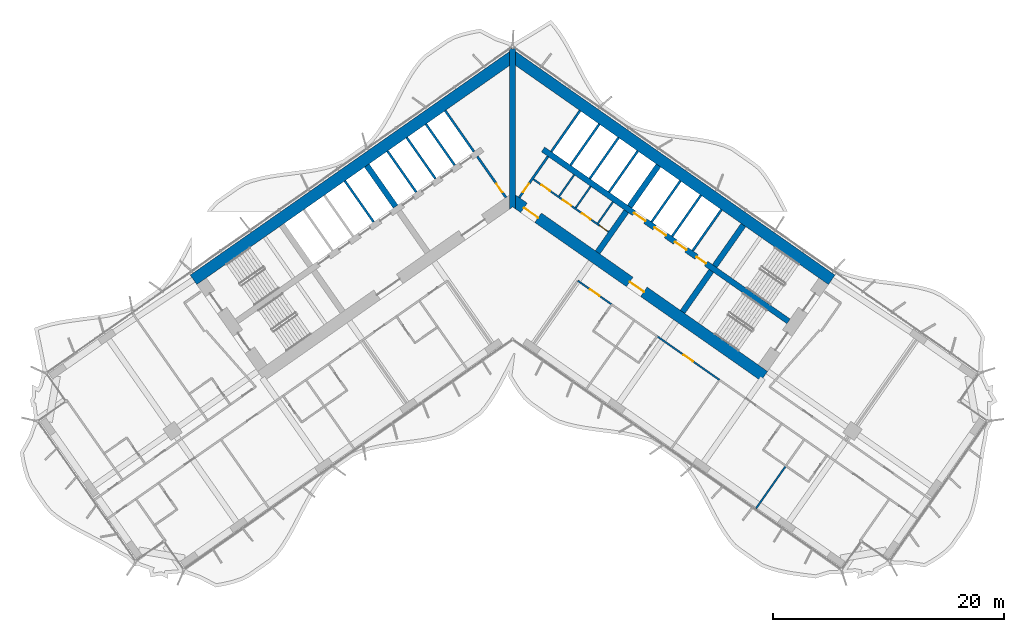
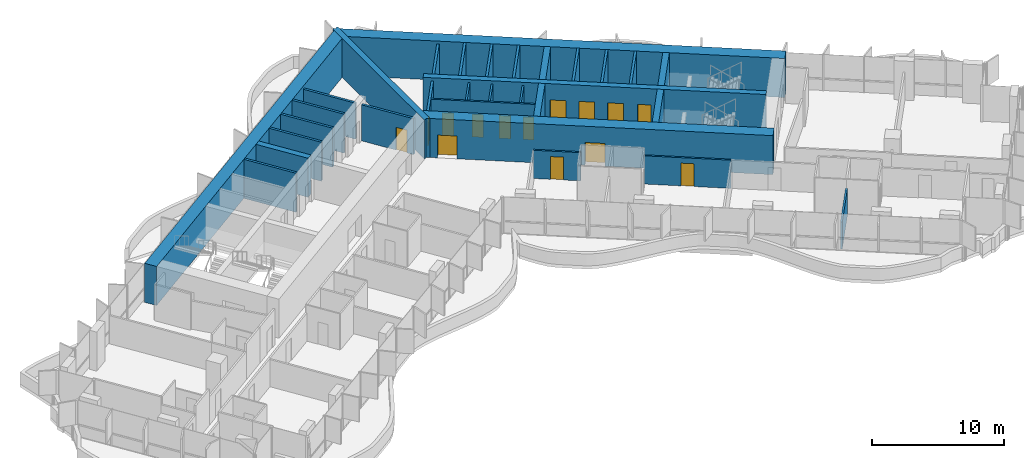
# One storey, part 14 of 22: 31 walls, 14 doors, 14 openings.
"""IFC4 building model written with IfcOpenShell, lengths in metres."""

from ifc_helpers import new_model, si_unit, direction, frame, frame_2d, origin, place, context, subcontext, project, spatial, polyline, rectangle, outline, extrude, material, layer, layer_set, type_object, element, fill, save


model = new_model("IFC4")

# Units and contexts
model_context = context("Model", 3, precision=1e-05, world=origin(), true_north=direction((0.0, 1.0)))
body_context = subcontext(model_context, "Body", "Model", "MODEL_VIEW")
ifc_project = project(units=[si_unit("LENGTHUNIT", "METRE"), si_unit("AREAUNIT", "SQUARE_METRE"), si_unit("VOLUMEUNIT", "CUBIC_METRE"), si_unit("PLANEANGLEUNIT", "RADIAN"), si_unit("MASSUNIT", "GRAM", prefix="KILO")], contexts=[model_context])

# Site, building, storey
site_placement = place(None, origin())
site = spatial("IfcSite", under=ifc_project, at=site_placement, CompositionType="ELEMENT")
building_placement = place(site_placement, origin())
building = spatial("IfcBuilding", under=site, at=building_placement, Name="Tel Ilan Convention Tower", CompositionType="ELEMENT")
storey_placement = place(building_placement, frame((0.0, 0.0, 122.89990234375)))
storey = spatial("IfcBuildingStorey", under=building, at=storey_placement, Name="L27", CompositionType="ELEMENT", Elevation=122.89990234375)

# Wall, openings, doors
ifc_material_1 = material(Name="Gypsum Plasterboard on Steel Stud", Category="steel")
ifc_layer_1 = layer(ifc_material_1, 0.14990234375)
ifc_layer_set_1 = layer_set([ifc_layer_1], Name="Core Room Partition Wall 150 mm EI 60")
wall_type_1 = type_object("IfcWallType", Name="Core Room Partition Wall 150 mm EI 60", PredefinedType="PARTITIONING", material=ifc_layer_set_1)
wall_1_placement = place(storey_placement, frame((1.802490234375, 1.179443359375, 0.0), z_axis=(0.0, 0.0, 1.0), x_axis=(0.819142461705, -0.573590121456, 0.0)))
wall_1 = element("IfcWall", 1, at=wall_1_placement, inside=storey, type_object=wall_type_1, Name="L27 core wall wc-h1", PredefinedType="PARTITIONING", context=body_context, shape_type="SweptSolid", body=[
    extrude(rectangle(XDim=7.949951171875, YDim=0.14990234375, at=frame_2d((3.97509765625, 0.0))), origin(), (0.0, 0.0, 1.0), 3.320068359375),
])
opening_1_placement = place(wall_1_placement, frame((0.85009765625, 0.0, 0.0)))
opening_1 = element("IfcOpeningElement", 2, at=opening_1_placement, cuts=wall_1, Name="Opening CD2111", PredefinedType="OPENING", context=body_context, shape_type="SweptSolid", body=[
    extrude(rectangle(XDim=0.89990234375, YDim=2.10009765625, at=frame_2d((0.449951171875, 1.050048828125))), frame((0.0, 0.0849609375, 0.0), z_axis=(0.0, -1.0, 0.0), x_axis=(1.0, 0.0, 0.0)), (0.0, 0.0, 1.0), 0.169921875),
])
opening_2_placement = place(wall_1_placement, frame((3.10009765625, 0.0, 0.0)))
opening_2 = element("IfcOpeningElement", 3, at=opening_2_placement, cuts=wall_1, Name="Opening CD2108", PredefinedType="OPENING", context=body_context, shape_type="SweptSolid", body=[
    extrude(rectangle(XDim=0.89990234375, YDim=2.10009765625, at=frame_2d((0.449951171875, 1.050048828125))), frame((0.0, 0.0849609375, 0.0), z_axis=(0.0, -1.0, 0.0), x_axis=(1.0, 0.0, 0.0)), (0.0, 0.0, 1.0), 0.169921875),
])
opening_3_placement = place(wall_1_placement, frame((5.14990234375, 0.0, 0.0)))
opening_3 = element("IfcOpeningElement", 4, at=opening_3_placement, cuts=wall_1, Name="Opening CD2110", PredefinedType="OPENING", context=body_context, shape_type="SweptSolid", body=[
    extrude(rectangle(XDim=0.89990234375, YDim=2.10009765625, at=frame_2d((0.449951171875, 1.050048828125))), frame((0.0, 0.0849609375, 0.0), z_axis=(0.0, -1.0, 0.0), x_axis=(1.0, 0.0, 0.0)), (0.0, 0.0, 1.0), 0.169921875),
])
opening_4_placement = place(wall_1_placement, frame((7.0, 0.0, 0.0)))
opening_4 = element("IfcOpeningElement", 5, at=opening_4_placement, cuts=wall_1, Name="Opening CD2109", PredefinedType="OPENING", context=body_context, shape_type="SweptSolid", body=[
    extrude(rectangle(XDim=0.800048828125, YDim=2.10009765625, at=frame_2d((0.39990234375, 1.050048828125))), frame((0.0, 0.0849609375, 0.0), z_axis=(0.0, -1.0, 0.0), x_axis=(1.0, 0.0, 0.0)), (0.0, 0.0, 1.0), 0.169921875),
])
ifc_material_2 = material(Name="Galvanised Steel Door Leaf", Category="steel")
door_type_1 = type_object("IfcDoorType", Name="Store Door 800 x 2100 FD60", OperationType="NOTDEFINED", PredefinedType="DOOR", material=ifc_material_2)
door_1_placement = place(opening_4_placement, origin())
door_1 = element("IfcDoor", 6, at=door_1_placement, inside=storey, type_object=door_type_1, Name="Cleaner's store door", OperationType="SINGLE_SWING_RIGHT", OverallHeight=2.10009765625, OverallWidth=0.800048828125, PredefinedType="DOOR", context=body_context, shape_type="SweptSolid", body=[
    extrude(rectangle(XDim=0.800048828125, YDim=2.10009765625, at=frame_2d((0.39990234375, 1.050048828125))), frame((0.0, 0.02490234375, 0.0), z_axis=(0.0, -1.0, 0.0), x_axis=(1.0, 0.0, 0.0)), (0.0, 0.0, 1.0), 0.050048828125),
])
fill(opening_4, door_1)
ifc_material_3 = material(Name="Laminated Timber Door Leaf", Category="wood")
door_type_2 = type_object("IfcDoorType", Name="Toilet Door 900 x 2100 FD30S", OperationType="NOTDEFINED", PredefinedType="DOOR", material=ifc_material_3)
door_2_placement = place(opening_1_placement, origin())
door_2 = element("IfcDoor", 7, at=door_2_placement, inside=storey, type_object=door_type_2, Name="Women's WC door", OperationType="SINGLE_SWING_RIGHT", OverallHeight=2.10009765625, OverallWidth=0.89990234375, PredefinedType="DOOR", context=body_context, shape_type="SweptSolid", body=[
    extrude(rectangle(XDim=0.89990234375, YDim=2.10009765625, at=frame_2d((0.449951171875, 1.050048828125))), frame((0.0, 0.02490234375, 0.0), z_axis=(0.0, -1.0, 0.0), x_axis=(1.0, 0.0, 0.0)), (0.0, 0.0, 1.0), 0.050048828125),
])
fill(opening_1, door_2)
door_3_placement = place(opening_2_placement, origin())
door_3 = element("IfcDoor", 8, at=door_3_placement, inside=storey, type_object=door_type_2, Name="Accessible WC door", OperationType="SINGLE_SWING_RIGHT", OverallHeight=2.10009765625, OverallWidth=0.89990234375, PredefinedType="DOOR", context=body_context, shape_type="SweptSolid", body=[
    extrude(rectangle(XDim=0.89990234375, YDim=2.10009765625, at=frame_2d((0.449951171875, 1.050048828125))), frame((0.0, 0.02490234375, 0.0), z_axis=(0.0, -1.0, 0.0), x_axis=(1.0, 0.0, 0.0)), (0.0, 0.0, 1.0), 0.050048828125),
])
fill(opening_2, door_3)
door_4_placement = place(opening_3_placement, origin())
door_4 = element("IfcDoor", 9, at=door_4_placement, inside=storey, type_object=door_type_2, Name="Men's WC door", OperationType="SINGLE_SWING_RIGHT", OverallHeight=2.10009765625, OverallWidth=0.89990234375, PredefinedType="DOOR", context=body_context, shape_type="SweptSolid", body=[
    extrude(rectangle(XDim=0.89990234375, YDim=2.10009765625, at=frame_2d((0.449951171875, 1.050048828125))), frame((0.0, 0.02490234375, 0.0), z_axis=(0.0, -1.0, 0.0), x_axis=(1.0, 0.0, 0.0)), (0.0, 0.0, 1.0), 0.050048828125),
])
fill(opening_3, door_4)

# Walls
for number, where, z_axis, x_axis, name in (
    (10, (4.03662109375, -0.29345703125, 0.0), (0.0, 0.0, 1.0), (0.573599181114, 0.819136117764, 0.0), "L27 core wall wc-v0"),
    (11, (5.47021484375, -1.297119140625, 0.0), (0.0, 0.0, 1.0), (0.573599181114, 0.819136117764, 0.0), "L27 core wall wc-v1"),
    (12, (7.395263671875, -2.64501953125, 0.0), (0.0, 0.0, 1.0), (0.573599181114, 0.819136117764, 0.0), "L27 core wall wc-v2"),
):
    element("IfcWall", number, at=place(storey_placement, frame(where, z_axis=z_axis, x_axis=x_axis)), inside=storey, type_object=wall_type_1, Name=name, PredefinedType="PARTITIONING", context=body_context, shape_type="SweptSolid", body=[
        extrude(rectangle(XDim=2.27490234375, YDim=0.14990234375, at=frame_2d((1.137451171875, 0.0))), origin(), (0.0, 0.0, 1.0), 3.320068359375),
    ])

# Wall, opening, door
ifc_material_4 = material(Name="Concrete C30/37", Category="concrete")
ifc_layer_2 = layer(ifc_material_4, 0.199951171875)
ifc_layer_set_2 = layer_set([ifc_layer_2], Name="Core Service Room Wall 200 mm C30/37")
wall_type_2 = type_object("IfcWallType", Name="Core Service Room Wall 200 mm C30/37", PredefinedType="SOLIDWALL", material=ifc_layer_set_2)
wall_2_placement = place(storey_placement, frame((-0.573486328125, -0.401611328125, 0.0), z_axis=(0.0, 0.0, 1.0), x_axis=(-0.57356780395, 0.819158088694, 0.0)))
wall_2 = element("IfcWall", 13, at=wall_2_placement, inside=storey, type_object=wall_type_2, Name="L27 core wall apex-W", PredefinedType="SOLIDWALL", context=body_context, shape_type="SweptSolid", body=[
    extrude(rectangle(XDim=4.35009765625, YDim=0.199951171875, at=frame_2d((2.175048828125, 0.0))), origin(), (0.0, 0.0, 1.0), 3.320068359375),
])
opening_5_placement = place(wall_2_placement, frame((0.550048828125, 0.0, 0.0)))
opening_5 = element("IfcOpeningElement", 14, at=opening_5_placement, cuts=wall_2, Name="Opening CD2102", PredefinedType="OPENING", context=body_context, shape_type="SweptSolid", body=[
    extrude(rectangle(XDim=0.89990234375, YDim=2.10009765625, at=frame_2d((0.449951171875, 1.050048828125))), frame((0.0, 0.10986328125, 0.0), z_axis=(0.0, -1.0, 0.0), x_axis=(1.0, 0.0, 0.0)), (0.0, 0.0, 1.0), 0.219970703125),
])
ifc_material_5 = material(Name="Galvanised Steel Door Leaf", Category="steel")
door_type_3 = type_object("IfcDoorType", Name="Service Room Door 900 x 2100 FD60", OperationType="NOTDEFINED", PredefinedType="DOOR", material=ifc_material_5)
door_5_placement = place(opening_5_placement, origin())
door_5 = element("IfcDoor", 15, at=door_5_placement, inside=storey, type_object=door_type_3, Name="Telecom Room door", OperationType="SINGLE_SWING_RIGHT", OverallHeight=2.10009765625, OverallWidth=0.89990234375, PredefinedType="DOOR", context=body_context, shape_type="SweptSolid", body=[
    extrude(rectangle(XDim=0.89990234375, YDim=2.10009765625, at=frame_2d((0.449951171875, 1.050048828125))), frame((0.0, 0.02490234375, 0.0), z_axis=(0.0, -1.0, 0.0), x_axis=(1.0, 0.0, 0.0)), (0.0, 0.0, 1.0), 0.050048828125),
])
fill(opening_5, door_5)

# Wall
wall_3_placement = place(storey_placement, frame((-3.355224609375, 3.5712890625, 0.0), z_axis=(0.0, 0.0, 1.0), x_axis=(-0.57356780395, 0.819158088694, 0.0)))
element("IfcWall", 16, at=wall_3_placement, inside=storey, type_object=wall_type_2, Name="L27 core wall apex-W-b", PredefinedType="SOLIDWALL", context=body_context, shape_type="SweptSolid", body=[
    extrude(rectangle(XDim=4.35009765625, YDim=0.199951171875, at=frame_2d((2.175048828125, 0.0))), origin(), (0.0, 0.0, 1.0), 3.320068359375),
])

# Wall, opening, door
wall_4_placement = place(storey_placement, frame((0.573486328125, -0.401611328125, 0.0), z_axis=(0.0, 0.0, 1.0), x_axis=(0.57356780395, 0.819158088694, 0.0)))
wall_4 = element("IfcWall", 17, at=wall_4_placement, inside=storey, type_object=wall_type_2, Name="L27 core wall apex-E", PredefinedType="SOLIDWALL", context=body_context, shape_type="SweptSolid", body=[
    extrude(rectangle(XDim=4.35009765625, YDim=0.199951171875, at=frame_2d((2.175048828125, 0.0))), origin(), (0.0, 0.0, 1.0), 3.320068359375),
])
opening_6_placement = place(wall_4_placement, frame((0.550048828125, 0.0, 0.0)))
opening_6 = element("IfcOpeningElement", 18, at=opening_6_placement, cuts=wall_4, Name="Opening CD2101", PredefinedType="OPENING", context=body_context, shape_type="SweptSolid", body=[
    extrude(rectangle(XDim=0.89990234375, YDim=2.10009765625, at=frame_2d((0.449951171875, 1.050048828125))), frame((0.0, 0.10986328125, 0.0), z_axis=(0.0, -1.0, 0.0), x_axis=(1.0, 0.0, 0.0)), (0.0, 0.0, 1.0), 0.219970703125),
])
door_6_placement = place(opening_6_placement, origin())
door_6 = element("IfcDoor", 19, at=door_6_placement, inside=storey, type_object=door_type_3, Name="Data Room door", OperationType="SINGLE_SWING_RIGHT", OverallHeight=2.10009765625, OverallWidth=0.89990234375, PredefinedType="DOOR", context=body_context, shape_type="SweptSolid", body=[
    extrude(rectangle(XDim=0.89990234375, YDim=2.10009765625, at=frame_2d((0.449951171875, 1.050048828125))), frame((0.0, 0.02490234375, 0.0), z_axis=(0.0, -1.0, 0.0), x_axis=(1.0, 0.0, 0.0)), (0.0, 0.0, 1.0), 0.050048828125),
])
fill(opening_6, door_6)

# Walls
wall_5_placement = place(storey_placement, frame((3.355224609375, 3.5712890625, 0.0), z_axis=(0.0, 0.0, 1.0), x_axis=(0.57356780395, 0.819158088694, 0.0)))
element("IfcWall", 20, at=wall_5_placement, inside=storey, type_object=wall_type_2, Name="L27 core wall apex-E-b", PredefinedType="SOLIDWALL", context=body_context, shape_type="SweptSolid", body=[
    extrude(rectangle(XDim=4.35009765625, YDim=0.199951171875, at=frame_2d((2.175048828125, 0.0))), origin(), (0.0, 0.0, 1.0), 3.320068359375),
])
ifc_material_6 = material(Name="Concrete C60/75", Category="concrete")
ifc_layer_3 = layer(ifc_material_6, 1.0)
ifc_layer_set_3 = layer_set([ifc_layer_3], Name="Core Shear Wall 1000 mm C60/75")
wall_type_3 = type_object("IfcWallType", Name="Core Shear Wall 1000 mm C60/75", PredefinedType="SHEAR", material=ifc_layer_set_3)
wall_6_placement = place(storey_placement, frame((0.036865234375, 11.8671875, 0.0), z_axis=(0.0, 0.0, 1.0), x_axis=(-0.819155306259, -0.573571777746, 0.0)))
element("IfcWall", 21, at=wall_6_placement, inside=storey, type_object=wall_type_3, Name="L27 core wall W-back", PredefinedType="SHEAR", context=body_context, shape_type="SweptSolid", body=[
    extrude(outline(polyline([(33.8369140625, 0.5), (0.7001953125, 0.499755859375), (0.0, -0.5), (33.8369140625, -0.5), (33.8369140625, 0.5)])), origin(), (0.0, 0.0, 1.0), 3.60009765625),
])
wall_7_placement = place(storey_placement, frame((-0.036865234375, 11.8671875, 0.0), z_axis=(0.0, 0.0, 1.0), x_axis=(0.819155306259, -0.573571777746, 0.0)))
element("IfcWall", 22, at=wall_7_placement, inside=storey, type_object=wall_type_3, Name="L27 core wall E-back", PredefinedType="SHEAR", context=body_context, shape_type="SweptSolid", body=[
    extrude(outline(polyline([(33.8369140625, 0.5), (0.0, 0.5), (0.7001953125, -0.499755859375), (33.8369140625, -0.5), (33.8369140625, 0.5)])), origin(), (0.0, 0.0, 1.0), 3.60009765625),
])

# Wall, openings, doors
wall_8_placement = place(storey_placement, frame((-0.036865234375, -0.584716796875, 0.0), z_axis=(0.0, 0.0, 1.0), x_axis=(0.819157152511, -0.573569140985, 0.0)))
wall_8 = element("IfcWall", 23, at=wall_8_placement, inside=storey, type_object=wall_type_3, Name="L27 core wall E-front", PredefinedType="SHEAR", context=body_context, shape_type="SweptSolid", body=[
    extrude(outline(polyline([(26.69482421875, 0.499755859375), (0.0, 0.5), (0.7001953125, -0.499755859375), (26.69482421875, -0.500244140625), (26.69482421875, 0.499755859375)])), origin(), (0.0, 0.0, 1.0), 3.60009765625),
])
opening_7_placement = place(wall_8_placement, frame((1.244873046875, 0.0, 0.0)))
opening_7 = element("IfcOpeningElement", 24, at=opening_7_placement, cuts=wall_8, Name="Opening CD2103", PredefinedType="OPENING", context=body_context, shape_type="SweptSolid", body=[
    extrude(rectangle(XDim=1.5, YDim=2.10009765625, at=frame_2d((0.75, 1.050048828125))), frame((0.0, 0.510009765625, 0.0), z_axis=(0.0, -1.0, 0.0), x_axis=(1.0, 0.0, 0.0)), (0.0, 0.0, 1.0), 1.02001953125),
])
opening_8_placement = place(wall_8_placement, frame((12.44482421875, 0.0, 0.0)))
opening_8 = element("IfcOpeningElement", 25, at=opening_8_placement, cuts=wall_8, Name="Opening CD2104", PredefinedType="OPENING", context=body_context, shape_type="SweptSolid", body=[
    extrude(rectangle(XDim=1.5, YDim=2.10009765625, at=frame_2d((0.75, 1.050048828125))), frame((0.0, 0.510009765625, 0.0), z_axis=(0.0, -1.0, 0.0), x_axis=(1.0, 0.0, 0.0)), (0.0, 0.0, 1.0), 1.02001953125),
])
ifc_material_7 = material(Name="Glazed Aluminium Door Leaf", Category="aluminium")
door_type_4 = type_object("IfcDoorType", Name="Lobby Opening Door 1500 x 2100 FD60S", OperationType="NOTDEFINED", PredefinedType="DOOR", material=ifc_material_7)
door_7_placement = place(opening_8_placement, origin())
door_7 = element("IfcDoor", 26, at=door_7_placement, inside=storey, type_object=door_type_4, Name="Firefighting Lobby door", OperationType="DOUBLE_DOOR_SINGLE_SWING", OverallHeight=2.10009765625, OverallWidth=1.5, PredefinedType="DOOR", context=body_context, shape_type="SweptSolid", body=[
    extrude(rectangle(XDim=1.5, YDim=2.10009765625, at=frame_2d((0.75, 1.050048828125))), frame((0.0, 0.02490234375, 0.0), z_axis=(0.0, -1.0, 0.0), x_axis=(1.0, 0.0, 0.0)), (0.0, 0.0, 1.0), 0.050048828125),
])
fill(opening_8, door_7)
ifc_material_8 = material(Name="Laminated Timber Door Leaf", Category="wood")
door_type_5 = type_object("IfcDoorType", Name="Toilet Door 1500 x 2100 FD30S", OperationType="NOTDEFINED", PredefinedType="DOOR", material=ifc_material_8)
door_8_placement = place(opening_7_placement, origin())
door_8 = element("IfcDoor", 27, at=door_8_placement, inside=storey, type_object=door_type_5, Name="WC Lobby door", OperationType="SINGLE_SWING_RIGHT", OverallHeight=2.10009765625, OverallWidth=1.5, PredefinedType="DOOR", context=body_context, shape_type="SweptSolid", body=[
    extrude(rectangle(XDim=1.5, YDim=2.10009765625, at=frame_2d((0.75, 1.050048828125))), frame((0.0, 0.02490234375, 0.0), z_axis=(0.0, -1.0, 0.0), x_axis=(1.0, 0.0, 0.0)), (0.0, 0.0, 1.0), 0.050048828125),
])
fill(opening_7, door_8)

# Walls
ifc_material_9 = material(Name="Concrete C60/75", Category="concrete")
ifc_layer_4 = layer(ifc_material_9, 0.5)
ifc_layer_set_4 = layer_set([ifc_layer_4], Name="Core Shear Wall 500 mm C60/75")
wall_type_4 = type_object("IfcWallType", Name="Core Shear Wall 500 mm C60/75", PredefinedType="SHEAR", material=ifc_layer_set_4)
wall_9_placement = place(storey_placement, frame((-10.154296875, -1.189208984375, 0.0), z_axis=(0.0, 0.0, 1.0), x_axis=(-0.573594173421, 0.819139624372, 0.0)))
element("IfcWall", 28, at=wall_9_placement, inside=storey, type_object=wall_type_4, Name="L27 core wall W-cross1-2", PredefinedType="SHEAR", context=body_context, shape_type="SweptSolid", body=[
    extrude(outline(polyline([(4.349853515625, -0.25), (4.349853515625, 0.25), (-0.000244140625, 0.25), (-0.000244140625, -0.25), (4.349853515625, -0.25)])), origin(), (0.0, 0.0, 1.0), 3.60009765625),
])
wall_10_placement = place(storey_placement, frame((7.372314453125, -5.162109375, 0.0), z_axis=(0.0, 0.0, 1.0), x_axis=(0.573594173421, 0.819139624372, 0.0)))
element("IfcWall", 29, at=wall_10_placement, inside=storey, type_object=wall_type_4, Name="L27 core wall E-cross1-1", PredefinedType="SHEAR", context=body_context, shape_type="SweptSolid", body=[
    extrude(outline(polyline([(0.0, 0.25), (0.0, -0.250244140625), (4.349853515625, -0.25), (4.349853515625, 0.25), (0.0, 0.25)])), origin(), (0.0, 0.0, 1.0), 3.60009765625),
])
wall_11_placement = place(storey_placement, frame((10.154296875, -1.189208984375, 0.0), z_axis=(0.0, 0.0, 1.0), x_axis=(0.573594173421, 0.819139624372, 0.0)))
element("IfcWall", 30, at=wall_11_placement, inside=storey, type_object=wall_type_4, Name="L27 core wall E-cross1-2", PredefinedType="SHEAR", context=body_context, shape_type="SweptSolid", body=[
    extrude(outline(polyline([(4.349853515625, -0.25), (4.349853515625, 0.25), (-0.000244140625, 0.25), (-0.000244140625, -0.25), (4.349853515625, -0.25)])), origin(), (0.0, 0.0, 1.0), 3.60009765625),
])
wall_12_placement = place(storey_placement, frame((14.74462890625, -10.324462890625, 0.0), z_axis=(0.0, 0.0, 1.0), x_axis=(0.57356780395, 0.819158088694, 0.0)))
element("IfcWall", 31, at=wall_12_placement, inside=storey, type_object=wall_type_4, Name="L27 core wall E-cross2-1", PredefinedType="SHEAR", context=body_context, shape_type="SweptSolid", body=[
    extrude(outline(polyline([(0.0, 0.25), (0.0, -0.25), (4.35009765625, -0.250244140625), (4.35009765625, 0.25), (0.0, 0.25)])), origin(), (0.0, 0.0, 1.0), 3.60009765625),
])
wall_13_placement = place(storey_placement, frame((17.526611328125, -6.3515625, 0.0), z_axis=(0.0, 0.0, 1.0), x_axis=(0.573530143085, 0.819184457233, 0.0)))
element("IfcWall", 32, at=wall_13_placement, inside=storey, type_object=wall_type_4, Name="L27 core wall E-cross2-2", PredefinedType="SHEAR", context=body_context, shape_type="SweptSolid", body=[
    extrude(outline(polyline([(4.35009765625, -0.250244140625), (4.35009765625, 0.249755859375), (0.0, 0.25), (0.0, -0.25), (4.35009765625, -0.250244140625)])), origin(), (0.0, 0.0, 1.0), 3.60009765625),
])

# Wall, openings, doors
wall_14_placement = place(storey_placement, frame((2.638427734375, 3.76806640625, 0.0), z_axis=(0.0, 0.0, 1.0), x_axis=(0.819148977158, -0.573580816643, 0.0)))
wall_14 = element("IfcWall", 33, at=wall_14_placement, inside=storey, type_object=wall_type_4, Name="L27 core wall E-spine", PredefinedType="SHEAR", context=body_context, shape_type="SweptSolid", body=[
    extrude(outline(polyline([(0.0, 0.25), (0.0, -0.25), (26.0, -0.249755859375), (26.0, 0.250244140625), (0.0, 0.25)])), origin(), (0.0, 0.0, 1.0), 3.60009765625),
])
opening_9_placement = place(wall_14_placement, frame((9.637451171875, 0.0, 0.0)))
opening_9 = element("IfcOpeningElement", 34, at=opening_9_placement, cuts=wall_14, Name="Opening LD2101", PredefinedType="OPENING", context=body_context, shape_type="SweptSolid", body=[
    extrude(rectangle(XDim=1.199951171875, YDim=2.10009765625, at=frame_2d((0.60009765625, 1.050048828125))), frame((0.0, 0.260009765625, 0.0), z_axis=(0.0, -1.0, 0.0), x_axis=(1.0, 0.0, 0.0)), (0.0, 0.0, 1.0), 0.52001953125),
])
opening_10_placement = place(wall_14_placement, frame((11.8125, 0.0, 0.0)))
opening_10 = element("IfcOpeningElement", 35, at=opening_10_placement, cuts=wall_14, Name="Opening LD2102", PredefinedType="OPENING", context=body_context, shape_type="SweptSolid", body=[
    extrude(rectangle(XDim=1.199951171875, YDim=2.10009765625, at=frame_2d((0.60009765625, 1.050048828125))), frame((0.0, 0.260009765625, 0.0), z_axis=(0.0, -1.0, 0.0), x_axis=(1.0, 0.0, 0.0)), (0.0, 0.0, 1.0), 0.52001953125),
])
opening_11_placement = place(wall_14_placement, frame((13.987548828125, 0.0, 0.0)))
opening_11 = element("IfcOpeningElement", 36, at=opening_11_placement, cuts=wall_14, Name="Opening LD2103", PredefinedType="OPENING", context=body_context, shape_type="SweptSolid", body=[
    extrude(rectangle(XDim=1.199951171875, YDim=2.10009765625, at=frame_2d((0.60009765625, 1.050048828125))), frame((0.0, 0.260009765625, 0.0), z_axis=(0.0, -1.0, 0.0), x_axis=(1.0, 0.0, 0.0)), (0.0, 0.0, 1.0), 0.52001953125),
])
opening_12_placement = place(wall_14_placement, frame((16.262451171875, 0.0, 0.0)))
opening_12 = element("IfcOpeningElement", 37, at=opening_12_placement, cuts=wall_14, Name="Opening CD2107", PredefinedType="OPENING", context=body_context, shape_type="SweptSolid", body=[
    extrude(rectangle(XDim=1.0, YDim=2.10009765625, at=frame_2d((0.5, 1.050048828125))), frame((0.0, 0.260009765625, 0.0), z_axis=(0.0, -1.0, 0.0), x_axis=(1.0, 0.0, 0.0)), (0.0, 0.0, 1.0), 0.52001953125),
])
ifc_material_10 = material(Name="Stainless Steel Sliding Door Leaf", Category="steel")
door_type_6 = type_object("IfcDoorType", Name="Lift Landing Door 1200 x 2100 FD120", OperationType="NOTDEFINED", PredefinedType="DOOR", material=ifc_material_10)
door_9_placement = place(opening_9_placement, origin())
door_9 = element("IfcDoor", 38, at=door_9_placement, inside=storey, type_object=door_type_6, Name="Lift FL1 landing door", OperationType="SLIDING_TO_LEFT", OverallHeight=2.10009765625, OverallWidth=1.199951171875, PredefinedType="DOOR", context=body_context, shape_type="SweptSolid", body=[
    extrude(rectangle(XDim=1.199951171875, YDim=2.10009765625, at=frame_2d((0.60009765625, 1.050048828125))), frame((0.0, 0.02490234375, 0.0), z_axis=(0.0, -1.0, 0.0), x_axis=(1.0, 0.0, 0.0)), (0.0, 0.0, 1.0), 0.050048828125),
])
fill(opening_9, door_9)
door_10_placement = place(opening_10_placement, origin())
door_10 = element("IfcDoor", 39, at=door_10_placement, inside=storey, type_object=door_type_6, Name="Lift FL2 landing door", OperationType="SLIDING_TO_RIGHT", OverallHeight=2.10009765625, OverallWidth=1.199951171875, PredefinedType="DOOR", context=body_context, shape_type="SweptSolid", body=[
    extrude(rectangle(XDim=1.199951171875, YDim=2.10009765625, at=frame_2d((0.60009765625, 1.050048828125))), frame((0.0, 0.02490234375, 0.0), z_axis=(0.0, -1.0, 0.0), x_axis=(1.0, 0.0, 0.0)), (0.0, 0.0, 1.0), 0.050048828125),
])
fill(opening_10, door_10)
door_11_placement = place(opening_11_placement, origin())
door_11 = element("IfcDoor", 40, at=door_11_placement, inside=storey, type_object=door_type_6, Name="Lift FL3 landing door", OperationType="SLIDING_TO_LEFT", OverallHeight=2.10009765625, OverallWidth=1.199951171875, PredefinedType="DOOR", context=body_context, shape_type="SweptSolid", body=[
    extrude(rectangle(XDim=1.199951171875, YDim=2.10009765625, at=frame_2d((0.60009765625, 1.050048828125))), frame((0.0, 0.02490234375, 0.0), z_axis=(0.0, -1.0, 0.0), x_axis=(1.0, 0.0, 0.0)), (0.0, 0.0, 1.0), 0.050048828125),
])
fill(opening_11, door_11)
ifc_material_11 = material(Name="Galvanised Steel Door Leaf", Category="steel")
door_type_7 = type_object("IfcDoorType", Name="Service Room Door 1000 x 2100 FD60", OperationType="NOTDEFINED", PredefinedType="DOOR", material=ifc_material_11)
door_12_placement = place(opening_12_placement, origin())
door_12 = element("IfcDoor", 41, at=door_12_placement, inside=storey, type_object=door_type_7, Name="Plant Room door", OperationType="SINGLE_SWING_RIGHT", OverallHeight=2.10009765625, OverallWidth=1.0, PredefinedType="DOOR", context=body_context, shape_type="SweptSolid", body=[
    extrude(rectangle(XDim=1.0, YDim=2.10009765625, at=frame_2d((0.5, 1.050048828125))), frame((0.0, 0.02490234375, 0.0), z_axis=(0.0, -1.0, 0.0), x_axis=(1.0, 0.0, 0.0)), (0.0, 0.0, 1.0), 0.050048828125),
])
fill(opening_12, door_12)

# Wall
wall_15_placement = place(storey_placement, frame((0.0, -1.395751953125, 0.0), z_axis=(0.0, 0.0, 1.0), x_axis=(0.0, 1.0, 0.0)))
element("IfcWall", 42, at=wall_15_placement, inside=storey, type_object=wall_type_4, Name="L27 core wall K-central", PredefinedType="SHEAR", context=body_context, shape_type="SweptSolid", body=[
    extrude(outline(polyline([(0.0, -0.25), (0.175048828125, -0.25), (1.220703125, -0.25), (12.451904296875, -0.25), (13.84765625, -0.25), (13.85693359375, -0.25), (13.96826171875, -0.172119140625), (13.84765625, 0.0), (13.96826171875, 0.172119140625), (13.85693359375, 0.25), (13.84765625, 0.25), (12.451904296875, 0.25), (1.220703125, 0.25), (0.175048828125, 0.25), (0.0, 0.25), (0.175048828125, 0.0), (0.0, -0.25)])), origin(), (0.0, 0.0, 1.0), 3.60009765625),
])

# Wall, opening, door
ifc_material_12 = material(Name="Plasterboard on Steel Studs", Category="steel")
ifc_layer_5 = layer(ifc_material_12, 0.14990234375)
ifc_layer_set_5 = layer_set([ifc_layer_5], Name="Fire-rated Partition 150 EI 60")
wall_type_5 = type_object("IfcWallType", Name="Fire-rated Partition 150 EI 60", PredefinedType="PARTITIONING", material=ifc_layer_set_5)
wall_16_placement = place(storey_placement, frame((8.601318359375, -9.68505859375, 0.0), z_axis=(0.0, 0.0, 1.0), x_axis=(-0.819149096931, 0.573580645591, 0.0)))
wall_16 = element("IfcWall", 43, at=wall_16_placement, inside=storey, type_object=wall_type_5, Name="Partition 003", PredefinedType="PARTITIONING", context=body_context, shape_type="SweptSolid", body=[
    extrude(rectangle(XDim=3.600830078125, YDim=0.14990234375, at=frame_2d((1.80029296875, 0.0))), origin(), (0.0, 0.0, 1.0), 2.60009765625),
])
opening_13_placement = place(wall_16_placement, frame((1.301025390625, 0.0, 0.0)))
opening_13 = element("IfcOpeningElement", 44, at=opening_13_placement, cuts=wall_16, Name="Opening L27-017", PredefinedType="OPENING", context=body_context, shape_type="SweptSolid", body=[
    extrude(rectangle(XDim=1.0, YDim=2.10009765625, at=frame_2d((0.5, 1.050048828125))), frame((0.0, 0.0849609375, 0.0), z_axis=(0.0, -1.0, 0.0), x_axis=(1.0, 0.0, 0.0)), (0.0, 0.0, 1.0), 0.169921875),
])
ifc_material_13 = material(Name="Timber Door Leaf in Steel Frame", Category="steel")
door_type_8 = type_object("IfcDoorType", Name="Hotel Room Entrance Fire Door 1000x2100", OperationType="NOTDEFINED", PredefinedType="DOOR", material=ifc_material_13)
door_13_placement = place(opening_13_placement, origin())
door_13 = element("IfcDoor", 45, at=door_13_placement, inside=storey, type_object=door_type_8, Name="Door L27-017", OperationType="SINGLE_SWING_LEFT", OverallHeight=2.10009765625, OverallWidth=1.0, PredefinedType="DOOR", context=body_context, shape_type="SweptSolid", body=[
    extrude(rectangle(XDim=1.0, YDim=2.10009765625, at=frame_2d((0.5, 1.050048828125))), frame((0.0, 0.02490234375, 0.0), z_axis=(0.0, -1.0, 0.0), x_axis=(1.0, 0.0, 0.0)), (0.0, 0.0, 1.0), 0.050048828125),
])
fill(opening_13, door_13)

wall_17_placement = place(storey_placement, frame((17.940673828125, -16.224365234375, 0.0), z_axis=(0.0, 0.0, 1.0), x_axis=(-0.819153746897, 0.573574004767, 0.0)))
wall_17 = element("IfcWall", 46, at=wall_17_placement, inside=storey, type_object=wall_type_5, Name="Partition 005", PredefinedType="PARTITIONING", context=body_context, shape_type="SweptSolid", body=[
    extrude(rectangle(XDim=6.60302734375, YDim=0.14990234375, at=frame_2d((3.301513671875, 0.0))), origin(), (0.0, 0.0, 1.0), 2.60009765625),
])
opening_14_placement = place(wall_17_placement, frame((2.802001953125, 0.0, 0.0)))
opening_14 = element("IfcOpeningElement", 47, at=opening_14_placement, cuts=wall_17, Name="Opening L27-019", PredefinedType="OPENING", context=body_context, shape_type="SweptSolid", body=[
    extrude(rectangle(XDim=1.0, YDim=2.10009765625, at=frame_2d((0.5, 1.050048828125))), frame((0.0, 0.0849609375, 0.0), z_axis=(0.0, -1.0, 0.0), x_axis=(1.0, 0.0, 0.0)), (0.0, 0.0, 1.0), 0.169921875),
])
door_14_placement = place(opening_14_placement, origin())
door_14 = element("IfcDoor", 48, at=door_14_placement, inside=storey, type_object=door_type_8, Name="Door L27-019", OperationType="SINGLE_SWING_RIGHT", OverallHeight=2.10009765625, OverallWidth=1.0, PredefinedType="DOOR", context=body_context, shape_type="SweptSolid", body=[
    extrude(rectangle(XDim=1.0, YDim=2.10009765625, at=frame_2d((0.5, 1.050048828125))), frame((0.0, 0.02490234375, 0.0), z_axis=(0.0, -1.0, 0.0), x_axis=(1.0, 0.0, 0.0)), (0.0, 0.0, 1.0), 0.050048828125),
])
fill(opening_14, door_14)

# Walls
wall_18_placement = place(storey_placement, frame((23.70458984375, -23.679931640625, 0.0), z_axis=(0.0, 0.0, 1.0), x_axis=(-0.573553393703, -0.819168178442, 0.0)))
element("IfcWall", 49, at=wall_18_placement, inside=storey, type_object=wall_type_5, Name="Partition 042", PredefinedType="PARTITIONING", context=body_context, shape_type="SweptSolid", body=[
    extrude(rectangle(XDim=4.498779296875, YDim=0.14990234375, at=frame_2d((2.24951171875, 0.0))), origin(), (0.0, 0.0, 1.0), 2.5),
])
ifc_material_14 = material(Name="Concrete C30/37", Category="concrete")
ifc_layer_6 = layer(ifc_material_14, 0.199951171875)
ifc_layer_set_6 = layer_set([ifc_layer_6], Name="Lift Shaft Wall 200 mm C30/37")
wall_type_6 = type_object("IfcWallType", Name="Lift Shaft Wall 200 mm C30/37", PredefinedType="SOLIDWALL", material=ifc_layer_set_6)
wall_19_placement = place(storey_placement, frame((-5.0244140625, 2.402587890625, 0.0), z_axis=(0.0, 0.0, 1.0), x_axis=(-0.573530143085, 0.819184457233, 0.0)))
element("IfcWall", 50, at=wall_19_placement, inside=storey, type_object=wall_type_6, Name="L27 core wall bank-W1-p0", PredefinedType="SOLIDWALL", context=body_context, shape_type="SweptSolid", body=[
    extrude(rectangle(XDim=4.35009765625, YDim=0.199951171875, at=frame_2d((2.175048828125, 0.0))), origin(), (0.0, 0.0, 1.0), 3.60009765625),
])
for number, where, z_axis, x_axis, name in (
    (51, (-6.693359375, 1.234130859375, 0.0), (0.0, 0.0, 1.0), (-0.573594173421, 0.819139624372, 0.0), "L27 core wall bank-W1-p1"),
    (52, (-8.3623046875, 0.0654296875, 0.0), (0.0, 0.0, 1.0), (-0.573594173421, 0.819139624372, 0.0), "L27 core wall bank-W1-p2"),
    (53, (-12.05859375, -2.52294921875, 0.0), (0.0, 0.0, 1.0), (-0.573594173421, 0.819139624372, 0.0), "L27 core wall bank-W2-p0"),
):
    element("IfcWall", number, at=place(storey_placement, frame(where, z_axis=z_axis, x_axis=x_axis)), inside=storey, type_object=wall_type_6, Name=name, PredefinedType="SOLIDWALL", context=body_context, shape_type="SweptSolid", body=[
        extrude(rectangle(XDim=4.349853515625, YDim=0.199951171875, at=frame_2d((2.1748046875, 0.0))), origin(), (0.0, 0.0, 1.0), 3.60009765625),
    ])
wall_20_placement = place(storey_placement, frame((5.0244140625, 2.402587890625, 0.0), z_axis=(0.0, 0.0, 1.0), x_axis=(0.573530143085, 0.819184457233, 0.0)))
element("IfcWall", 54, at=wall_20_placement, inside=storey, type_object=wall_type_6, Name="L27 core wall bank-E1-p0", PredefinedType="SOLIDWALL", context=body_context, shape_type="SweptSolid", body=[
    extrude(rectangle(XDim=4.35009765625, YDim=0.199951171875, at=frame_2d((2.175048828125, 0.0))), origin(), (0.0, 0.0, 1.0), 3.60009765625),
])
for number, where, z_axis, x_axis, name in (
    (55, (6.693359375, 1.234130859375, 0.0), (0.0, 0.0, 1.0), (0.573594173421, 0.819139624372, 0.0), "L27 core wall bank-E1-p1"),
    (56, (8.3623046875, 0.0654296875, 0.0), (0.0, 0.0, 1.0), (0.573594173421, 0.819139624372, 0.0), "L27 core wall bank-E1-p2"),
    (57, (12.05859375, -2.52294921875, 0.0), (0.0, 0.0, 1.0), (0.573594173421, 0.819139624372, 0.0), "L27 core wall bank-E2-p0"),
):
    element("IfcWall", number, at=place(storey_placement, frame(where, z_axis=z_axis, x_axis=x_axis)), inside=storey, type_object=wall_type_6, Name=name, PredefinedType="SOLIDWALL", context=body_context, shape_type="SweptSolid", body=[
        extrude(rectangle(XDim=4.349853515625, YDim=0.199951171875, at=frame_2d((2.1748046875, 0.0))), origin(), (0.0, 0.0, 1.0), 3.60009765625),
    ])
wall_21_placement = place(storey_placement, frame((13.84033203125, -3.7705078125, 0.0), z_axis=(0.0, 0.0, 1.0), x_axis=(0.57356780395, 0.819158088694, 0.0)))
element("IfcWall", 58, at=wall_21_placement, inside=storey, type_object=wall_type_6, Name="L27 core wall bank-E2-p1", PredefinedType="SOLIDWALL", context=body_context, shape_type="SweptSolid", body=[
    extrude(rectangle(XDim=4.35009765625, YDim=0.199951171875, at=frame_2d((2.175048828125, 0.0))), origin(), (0.0, 0.0, 1.0), 3.60009765625),
])
wall_22_placement = place(storey_placement, frame((15.6220703125, -5.017822265625, 0.0), z_axis=(0.0, 0.0, 1.0), x_axis=(0.573594173421, 0.819139624372, 0.0)))
element("IfcWall", 59, at=wall_22_placement, inside=storey, type_object=wall_type_6, Name="L27 core wall bank-E2-p2", PredefinedType="SOLIDWALL", context=body_context, shape_type="SweptSolid", body=[
    extrude(rectangle(XDim=4.349853515625, YDim=0.199951171875, at=frame_2d((2.1748046875, 0.0))), origin(), (0.0, 0.0, 1.0), 3.60009765625),
])

save(model, "model.ifc")
